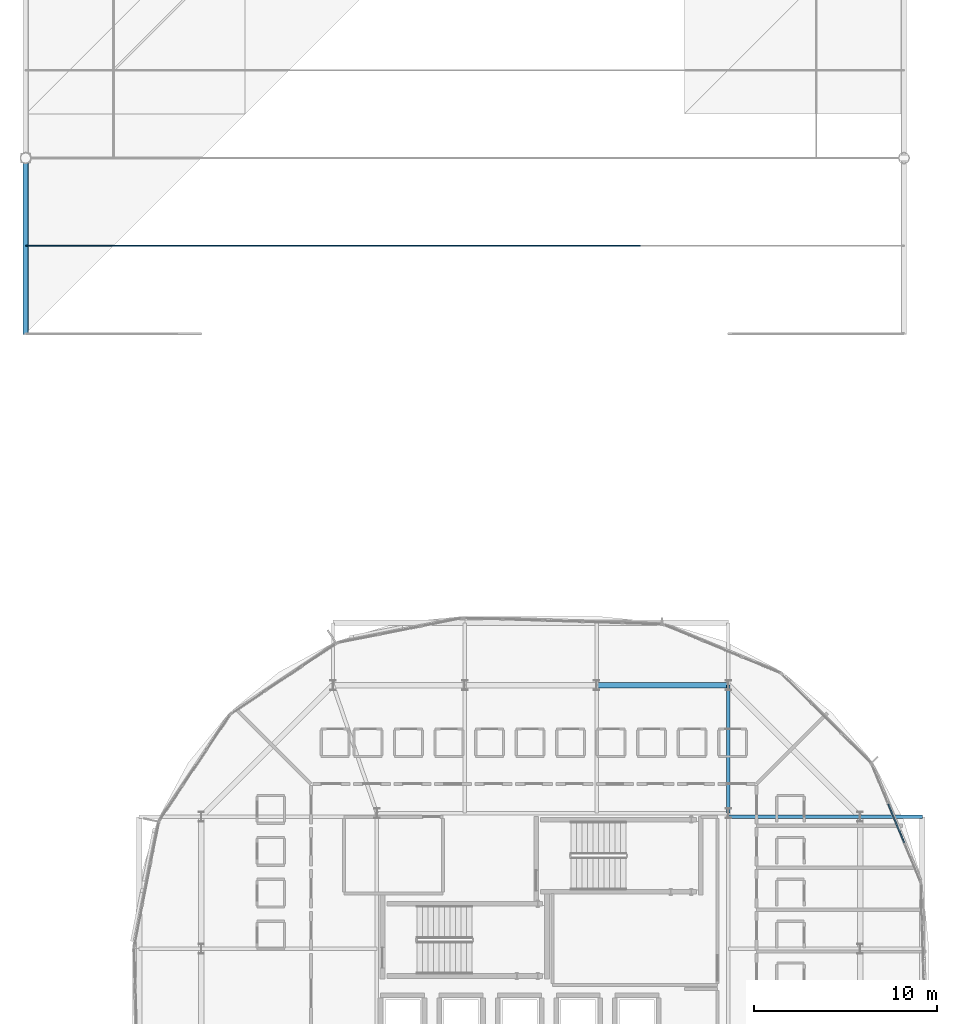
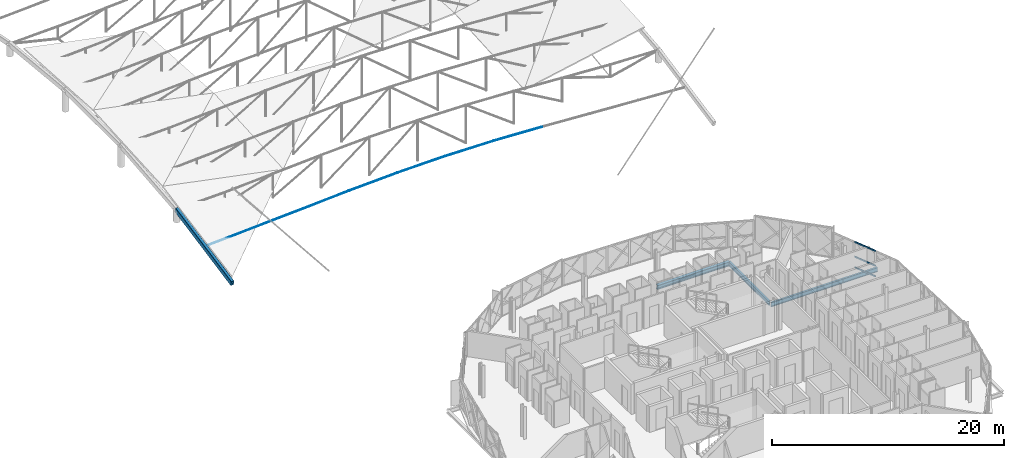
# One storey, part 13 of 50: 10 members, 5 beams, 1 element without a shape of its own.
"""IFC4 building model written with IfcOpenShell, lengths in metres."""

from ifc_helpers import new_model, si_unit, direction, frame, origin, origin_2d, place, context, subcontext, project, spatial, rectangle, hollow_rectangle, circle, i_section, extrude, material, layer, layer_set, material_profile, profile_set, type_object, element, aggregate, save


model = new_model("IFC4")

# Units and contexts
model_context = context("Model", 3, precision=1e-05, world=origin(), true_north=direction((0.0, 1.0)))
body_context = subcontext(model_context, "Body", "Model", "MODEL_VIEW")
ifc_project = project(units=[si_unit("LENGTHUNIT", "METRE"), si_unit("AREAUNIT", "SQUARE_METRE"), si_unit("VOLUMEUNIT", "CUBIC_METRE"), si_unit("PLANEANGLEUNIT", "RADIAN"), si_unit("MASSUNIT", "GRAM", prefix="KILO")], contexts=[model_context])

# Site, building, storey
site_placement = place(None, origin())
site = spatial("IfcSite", under=ifc_project, at=site_placement, CompositionType="ELEMENT")
building_placement = place(site_placement, origin())
building = spatial("IfcBuilding", under=site, at=building_placement, Name="Zevrakil Square Congress Hotel", CompositionType="ELEMENT")
storey_placement = place(building_placement, frame((0.0, 0.0, 21.5)))
storey = spatial("IfcBuildingStorey", under=building, at=storey_placement, Name="L06", CompositionType="ELEMENT", Elevation=21.5)

# Beams
ifc_material_1 = material(Name="Steel S355", Category="steel")
ifc_material_profile_1 = material_profile(ifc_material_1, i_section(OverallWidth=0.300048828125, OverallDepth=0.43994140625, WebThickness=0.011474609375, FlangeThickness=0.02099609375, FilletRadius=0.027099609375, at=origin_2d()), Name="HEA 450")
ifc_profile_set_1 = profile_set([ifc_material_profile_1], Name="Steel S355")
beam_type_1 = type_object("IfcBeamType", Name="BM-HEA450", PredefinedType="BEAM", material=ifc_profile_set_1)
beam_1_placement = place(storey_placement, frame((156.0, 45.60009765625, -0.409912109375), z_axis=(-1.0, 0.0, 0.0), x_axis=(0.0, -1.0, 0.0)))
element("IfcBeam", 1, at=beam_1_placement, inside=storey, type_object=beam_type_1, Name="L06 drum ring girder DRB-09", PredefinedType="BEAM", context=body_context, shape_type="SweptSolid", body=[
    extrude(i_section(OverallWidth=0.300048828125, OverallDepth=0.43994140625, WebThickness=0.011474609375, FlangeThickness=0.02099609375, FilletRadius=0.027099609375, at=origin_2d()), origin(), (0.0, 0.0, 1.0), 7.199951171875),
])
ifc_material_2 = material(Name="Steel S355", Category="steel")
ifc_material_profile_2 = material_profile(ifc_material_2, i_section(OverallWidth=0.18994140625, OverallDepth=0.449951171875, WebThickness=0.009521484375, FlangeThickness=0.0146484375, FilletRadius=0.02099609375, at=origin_2d()), Name="IPE 450")
ifc_profile_set_2 = profile_set([ifc_material_profile_2], Name="Steel S355")
beam_type_2 = type_object("IfcBeamType", Name="BM-IPE450", PredefinedType="BEAM", material=ifc_profile_set_2)
beam_2_placement = place(storey_placement, frame((156.0, 38.39990234375, -0.4150390625), z_axis=(1.0, 0.0, 0.0), x_axis=(0.0, 1.0, 0.0)))
element("IfcBeam", 2, at=beam_2_placement, inside=storey, type_object=beam_type_2, Name="L06 drum radial floor beam DRI-08", PredefinedType="BEAM", context=body_context, shape_type="SweptSolid", body=[
    extrude(i_section(OverallWidth=0.18994140625, OverallDepth=0.449951171875, WebThickness=0.009521484375, FlangeThickness=0.0146484375, FilletRadius=0.02099609375, at=origin_2d()), origin(), (0.0, 0.0, 1.0), 7.199951171875),
])
beam_3_placement = place(storey_placement, frame((163.199951171875, 38.39990234375, -0.4150390625), z_axis=(1.0, 0.0, 0.0), x_axis=(0.0, 1.0, 0.0)))
element("IfcBeam", 3, at=beam_3_placement, inside=storey, type_object=beam_type_2, Name="L06 drum radial edge cantilever beam DRO-08", PredefinedType="BEAM", context=body_context, shape_type="SweptSolid", body=[
    extrude(i_section(OverallWidth=0.18994140625, OverallDepth=0.449951171875, WebThickness=0.009521484375, FlangeThickness=0.0146484375, FilletRadius=0.02099609375, at=origin_2d()), origin(), (0.0, 0.0, 1.0), 3.400146484375),
])
beam_4_placement = place(storey_placement, frame((156.0, 38.60009765625, -0.4150390625), z_axis=(0.0, 1.0, 0.0), x_axis=(-1.0, 0.0, 0.0)))
element("IfcBeam", 4, at=beam_4_placement, inside=storey, type_object=beam_type_2, Name="L06 drum radial floor beam DRI-09", PredefinedType="BEAM", context=body_context, shape_type="SweptSolid", body=[
    extrude(i_section(OverallWidth=0.18994140625, OverallDepth=0.449951171875, WebThickness=0.009521484375, FlangeThickness=0.0146484375, FilletRadius=0.02099609375, at=origin_2d()), origin(), (0.0, 0.0, 1.0), 7.0),
])

# Curtain wall, members
ifc_material_3 = material(Name="Aluminium Anodised Bronze", Category="aluminium")
ifc_layer = layer(ifc_material_3, 0.179931640625)
ifc_layer_set = layer_set([ifc_layer], Name="Aluminium Anodised Bronze")
curtain_wall_type = type_object("IfcCurtainWallType", Name="CW-L06-720", PredefinedType="USERDEFINED", material=ifc_layer_set)
curtain_wall_placement = place(storey_placement, origin())
curtain_wall = element("IfcCurtainWall", 5, at=curtain_wall_placement, inside=storey, type_object=curtain_wall_type, Name="L06 diamond curtain wall CW-L06-0206", ObjectType="GLAZED CURTAIN WALL", PredefinedType="USERDEFINED")
ifc_material_4 = material(Name="Aluminium Anodised Bronze", Category="aluminium")
ifc_material_profile_3 = material_profile(ifc_material_4, rectangle(XDim=0.074951171875, YDim=0.14990234375, at=origin_2d()), Name="ALU 75x150")
ifc_profile_set_3 = profile_set([ifc_material_profile_3], Name="Aluminium Anodised Bronze")
member_type_1 = type_object("IfcMemberType", Name="CWM-ALU75x150", PredefinedType="USERDEFINED", material=ifc_profile_set_3)
member_1_placement = place(storey_placement, frame((165.60986328125, 36.992919921875, 0.030029296875), z_axis=(-0.382648740238, 0.923893901698, 0.0), x_axis=(-0.923893901698, -0.382648740238, 0.0)))
member_1 = element("IfcMember", 6, at=member_1_placement, type_object=member_type_1, Name="CW-70 transom 2.1", ObjectType="TRANSOM", PredefinedType="USERDEFINED", context=body_context, shape_type="SweptSolid", body=[
    extrude(rectangle(XDim=0.074951171875, YDim=0.14990234375, at=origin_2d()), origin(), (0.0, 0.0, 1.0), 2.275146484375),
])
member_2_placement = place(storey_placement, frame((165.60986328125, 36.992919921875, 1.146484375), z_axis=(-0.382648740238, 0.923893901698, 0.0), x_axis=(-0.923893901698, -0.382648740238, 0.0)))
member_2 = element("IfcMember", 7, at=member_2_placement, type_object=member_type_1, Name="CW-70 transom 2.2", ObjectType="TRANSOM", PredefinedType="USERDEFINED", context=body_context, shape_type="SweptSolid", body=[
    extrude(rectangle(XDim=0.074951171875, YDim=0.14990234375, at=origin_2d()), origin(), (0.0, 0.0, 1.0), 2.275146484375),
])
member_3_placement = place(storey_placement, frame((165.60986328125, 36.992919921875, 2.699951171875), z_axis=(-0.382648740238, 0.923893901698, 0.0), x_axis=(-0.923893901698, -0.382648740238, 0.0)))
member_3 = element("IfcMember", 8, at=member_3_placement, type_object=member_type_1, Name="CW-70 transom 2.3", ObjectType="TRANSOM", PredefinedType="USERDEFINED", context=body_context, shape_type="SweptSolid", body=[
    extrude(rectangle(XDim=0.074951171875, YDim=0.14990234375, at=origin_2d()), origin(), (0.0, 0.0, 1.0), 2.275146484375),
])
aggregate(curtain_wall, [member_1, member_2, member_3])

# Members
ifc_material_5 = material(Name="Steel S355", Category="steel")
ifc_material_profile_4 = material_profile(ifc_material_5, circle(Radius=0.033935546875, at=origin_2d()), Name="CABLE RD68")
ifc_profile_set_4 = profile_set([ifc_material_profile_4], Name="Steel S355")
member_type_2 = type_object("IfcMemberType", Name="MEM-CABLE-RD68", PredefinedType="USERDEFINED", material=ifc_profile_set_4)
member_4_placement = place(storey_placement, frame((117.60009765625, 69.60009765625, 0.2099609375), z_axis=(0.998469403376, 0.0, 0.055306875904), x_axis=(0.0, 1.0, 0.0)))
element("IfcMember", 9, at=member_4_placement, inside=storey, type_object=member_type_2, Name="Congress lenticular upper cable chord CBU-01 seg 1", ObjectType="ROOF CABLE", PredefinedType="USERDEFINED", context=body_context, shape_type="SweptSolid", body=[
    extrude(circle(Radius=0.033935546875, at=origin_2d()), origin(), (0.0, 0.0, 1.0), 4.80712890625),
])
member_5_placement = place(storey_placement, frame((122.39990234375, 69.60009765625, 0.475830078125), z_axis=(0.998364054477, 0.0, 0.057177047217), x_axis=(0.0, 1.0, 0.0)))
element("IfcMember", 10, at=member_5_placement, inside=storey, type_object=member_type_2, Name="Congress lenticular upper cable chord CBU-01 seg 2", ObjectType="ROOF CABLE", PredefinedType="USERDEFINED", context=body_context, shape_type="SweptSolid", body=[
    extrude(circle(Radius=0.033935546875, at=origin_2d()), origin(), (0.0, 0.0, 1.0), 4.807861328125),
])
member_6_placement = place(storey_placement, frame((127.199951171875, 69.60009765625, 0.750732421875), z_axis=(0.998191648201, 0.0, 0.060111841283), x_axis=(0.0, 1.0, 0.0)))
element("IfcMember", 11, at=member_6_placement, inside=storey, type_object=member_type_2, Name="Congress lenticular upper cable chord CBU-01 seg 3", ObjectType="ROOF CABLE", PredefinedType="USERDEFINED", context=body_context, shape_type="SweptSolid", body=[
    extrude(circle(Radius=0.033935546875, at=origin_2d()), origin(), (0.0, 0.0, 1.0), 4.808837890625),
])
member_7_placement = place(storey_placement, frame((132.0, 69.60009765625, 1.039794921875), z_axis=(0.99902015714, 0.0, 0.044257492339), x_axis=(0.0, 1.0, 0.0)))
element("IfcMember", 12, at=member_7_placement, inside=storey, type_object=member_type_2, Name="Congress lenticular upper cable chord CBU-01 seg 4", ObjectType="ROOF CABLE", PredefinedType="USERDEFINED", context=body_context, shape_type="SweptSolid", body=[
    extrude(circle(Radius=0.033935546875, at=origin_2d()), origin(), (0.0, 0.0, 1.0), 4.8046875),
])
member_8_placement = place(storey_placement, frame((136.800048828125, 69.60009765625, 1.25244140625), z_axis=(0.999869224064, 0.0, 0.016172036684), x_axis=(0.0, 1.0, 0.0)))
element("IfcMember", 13, at=member_8_placement, inside=storey, type_object=member_type_2, Name="Congress lenticular upper cable chord CBU-01 seg 5", ObjectType="ROOF CABLE", PredefinedType="USERDEFINED", context=body_context, shape_type="SweptSolid", body=[
    extrude(circle(Radius=0.033935546875, at=origin_2d()), origin(), (0.0, 0.0, 1.0), 4.80078125),
])
member_9_placement = place(storey_placement, frame((141.60009765625, 69.60009765625, 1.330078125), z_axis=(0.999869210762, 0.0, -0.016172859055), x_axis=(0.0, 1.0, 0.0)))
element("IfcMember", 14, at=member_9_placement, inside=storey, type_object=member_type_2, Name="Congress lenticular upper cable chord CBU-01 seg 6", ObjectType="ROOF CABLE", PredefinedType="USERDEFINED", context=body_context, shape_type="SweptSolid", body=[
    extrude(circle(Radius=0.033935546875, at=origin_2d()), origin(), (0.0, 0.0, 1.0), 4.800537109375),
])
member_10_placement = place(storey_placement, frame((146.39990234375, 69.60009765625, 1.25244140625), z_axis=(0.99902015714, 0.0, -0.044257492339), x_axis=(0.0, 1.0, 0.0)))
element("IfcMember", 15, at=member_10_placement, inside=storey, type_object=member_type_2, Name="Congress lenticular upper cable chord CBU-01 seg 7", ObjectType="ROOF CABLE", PredefinedType="USERDEFINED", context=body_context, shape_type="SweptSolid", body=[
    extrude(circle(Radius=0.033935546875, at=origin_2d()), origin(), (0.0, 0.0, 1.0), 4.8046875),
])

# Beam
ifc_material_6 = material(Name="Steel S355", Category="steel")
ifc_material_profile_5 = material_profile(ifc_material_6, hollow_rectangle(XDim=0.300048828125, YDim=0.5, WallThickness=0.02001953125, InnerFilletRadius=0.02001953125, OuterFilletRadius=0.0400390625, at=origin_2d()), Name="RHS 500x300x20")
ifc_profile_set_5 = profile_set([ifc_material_profile_5], Name="Steel S355")
beam_type_3 = type_object("IfcBeamType", Name="RNG-RHS500", PredefinedType="USERDEFINED", material=ifc_profile_set_5)
beam_5_placement = place(storey_placement, frame((117.60009765625, 74.39990234375, 1.169921875), z_axis=(0.0, -0.980581634828, -0.196111339393), x_axis=(1.0, 0.0, 0.0)))
element("IfcBeam", 16, at=beam_5_placement, inside=storey, type_object=beam_type_3, Name="Congress Hall compression ring beam RB-20", ObjectType="RING BEAM", PredefinedType="USERDEFINED", context=body_context, shape_type="SweptSolid", body=[
    extrude(hollow_rectangle(XDim=0.300048828125, YDim=0.5, WallThickness=0.02001953125, InnerFilletRadius=0.02001953125, OuterFilletRadius=0.0400390625, at=origin_2d()), origin(), (0.0, 0.0, 1.0), 9.7900390625),
])

save(model, "model.ifc")
